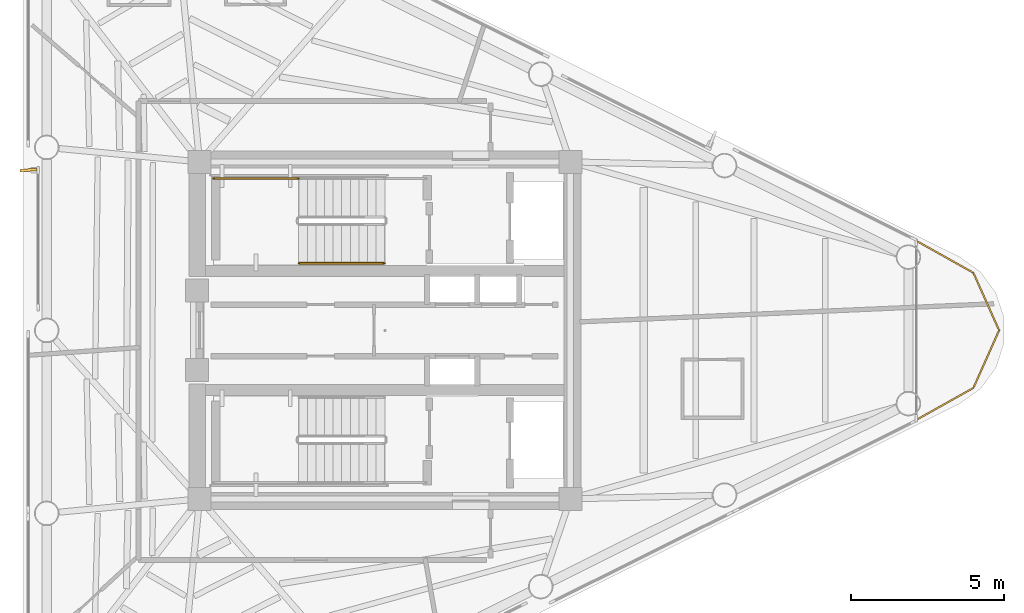
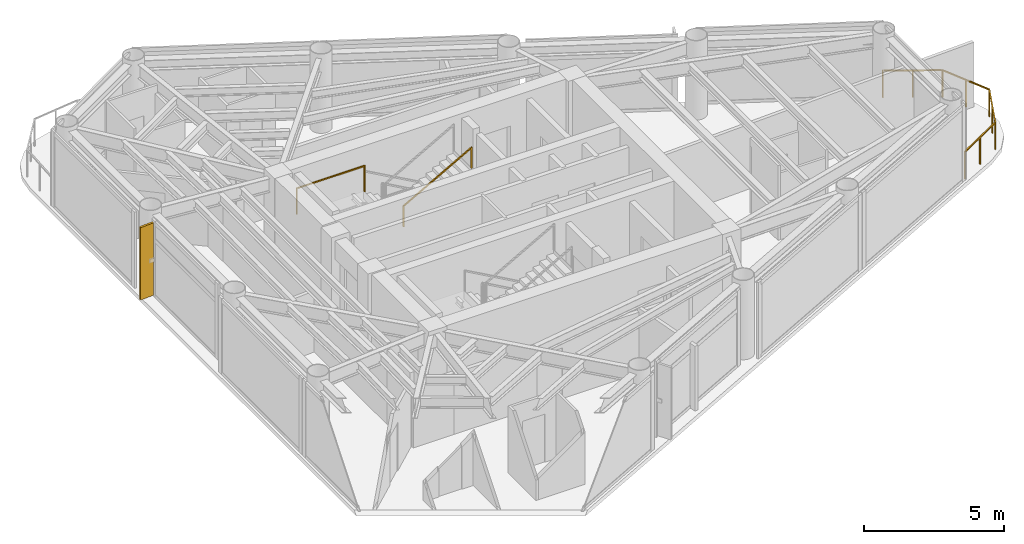
# One storey, part 9 of 10: 3 railings, 1 shading device.
"""IFC4 building model written with IfcOpenShell, lengths in metres."""

from ifc_helpers import new_model, si_unit, direction, frame, origin, origin_2d, place, context, subcontext, project, spatial, rectangle, extrude, source, transform, mapped, material, material_profile, profile_set, type_object, element, save


model = new_model("IFC4")

# Units and contexts
model_context = context("Model", 3, precision=1e-05, world=origin(), true_north=direction((0.0, 1.0)))
body_context = subcontext(model_context, "Body", "Model", "MODEL_VIEW")
ifc_project = project(units=[si_unit("LENGTHUNIT", "METRE"), si_unit("AREAUNIT", "SQUARE_METRE"), si_unit("VOLUMEUNIT", "CUBIC_METRE"), si_unit("PLANEANGLEUNIT", "RADIAN"), si_unit("MASSUNIT", "GRAM", prefix="KILO")], contexts=[model_context])

# Site, building, storey
site_placement = place(None, origin())
site = spatial("IfcSite", under=ifc_project, at=site_placement, CompositionType="ELEMENT")
building_placement = place(site_placement, origin())
building = spatial("IfcBuilding", under=site, at=building_placement, Name="Yunling Apex Tower", CompositionType="ELEMENT")
storey_placement = place(building_placement, frame((0.0, 0.0, 307.10009765625)))
storey = spatial("IfcBuildingStorey", under=building, at=storey_placement, Name="L75", CompositionType="ELEMENT", Elevation=307.10009765625)

# Railings
ifc_material_1 = material(Name="Bronze anodised aluminium", Category="aluminium")
railing_type_1 = type_object("IfcRailingType", Name="RL-BAL-1200", PredefinedType="BALUSTRADE", material=ifc_material_1)
railing_1_placement = place(storey_placement, frame((17.349365234375, 2.919677734375, 0.0)))
element("IfcRailing", 1, at=railing_1_placement, inside=storey, type_object=railing_type_1, Name="RL-CRNSILL-L75-1", PredefinedType="BALUSTRADE", context=body_context, shape_type="SweptSolid", body=[
    extrude(rectangle(XDim=0.0439453125, YDim=0.0439453125, at=origin_2d()), origin(), (0.0, 0.0, 1.0), 1.199951171875),
    extrude(rectangle(XDim=0.0439453125, YDim=0.0439453125, at=origin_2d()), frame((1.85791015625, -1.040771484375, 0.0)), (0.0, 0.0, 1.0), 1.199951171875),
    extrude(rectangle(XDim=0.050048828125, YDim=0.050048828125, at=origin_2d()), frame((0.033447265625, -0.018798828125, 1.1748046875), z_axis=(0.872437584312, -0.488725548216, 0.0), x_axis=(0.488725548216, 0.872437584312, 0.0)), (0.0, 0.0, 1.0), 2.052978515625),
    extrude(rectangle(XDim=0.0439453125, YDim=0.0439453125, at=origin_2d()), frame((0.928955078125, -0.5205078125, 0.0)), (0.0, 0.0, 1.0), 1.14599609375),
    extrude(rectangle(XDim=0.0439453125, YDim=0.0439453125, at=origin_2d()), frame((2.697021484375, -2.919677734375, 0.0)), (0.0, 0.0, 1.0), 1.199951171875),
    extrude(rectangle(XDim=0.050048828125, YDim=0.050048828125, at=origin_2d()), frame((1.87353515625, -1.07568359375, 1.1748046875), z_axis=(0.407778028912, -0.913081091216, 0.0), x_axis=(0.913081091216, 0.407778028912, 0.0)), (0.0, 0.0, 1.0), 1.981201171875),
    extrude(rectangle(XDim=0.0439453125, YDim=0.0439453125, at=origin_2d()), frame((2.27734375, -1.980224609375, 0.0)), (0.0, 0.0, 1.0), 1.14599609375),
    extrude(rectangle(XDim=0.0439453125, YDim=0.0439453125, at=origin_2d()), frame((1.85791015625, -4.798583984375, 0.0)), (0.0, 0.0, 1.0), 1.199951171875),
    extrude(rectangle(XDim=0.050048828125, YDim=0.050048828125, at=origin_2d()), frame((2.681396484375, -2.95458984375, 1.1748046875), z_axis=(-0.407778028912, -0.913081091216, 0.0), x_axis=(0.913081091216, -0.407778028912, 0.0)), (0.0, 0.0, 1.0), 1.981201171875),
    extrude(rectangle(XDim=0.0439453125, YDim=0.0439453125, at=origin_2d()), frame((2.27734375, -3.859130859375, 0.0)), (0.0, 0.0, 1.0), 1.14599609375),
    extrude(rectangle(XDim=0.0439453125, YDim=0.0439453125, at=origin_2d()), frame((0.0, -5.83935546875, 0.0)), (0.0, 0.0, 1.0), 1.199951171875),
    extrude(rectangle(XDim=0.050048828125, YDim=0.050048828125, at=origin_2d()), frame((1.824462890625, -4.8173828125, 1.1748046875), z_axis=(-0.872437584312, -0.488725548216, 0.0), x_axis=(0.488725548216, -0.872437584312, 0.0)), (0.0, 0.0, 1.0), 2.052978515625),
    extrude(rectangle(XDim=0.0439453125, YDim=0.0439453125, at=origin_2d()), frame((0.928955078125, -5.31884765625, 0.0)), (0.0, 0.0, 1.0), 1.14599609375),
])
ifc_material_2 = material(Name="Steel Q355B", Category="steel")
railing_type_2 = type_object("IfcRailingType", Name="RL-GRD-1150", PredefinedType="GUARDRAIL", material=ifc_material_2)
railing_2_placement = place(storey_placement, frame((-2.81005859375, 4.9599609375, 1.724853515625)))
element("IfcRailing", 2, at=railing_2_placement, inside=storey, type_object=railing_type_2, Name="L75 ST-1 stair guard 3", PredefinedType="GUARDRAIL", context=body_context, shape_type="SweptSolid", body=[
    extrude(rectangle(XDim=0.0439453125, YDim=0.0439453125, at=origin_2d()), origin(), (0.0, 0.0, 1.0), 1.14990234375),
    extrude(rectangle(XDim=0.0439453125, YDim=0.0439453125, at=origin_2d()), frame((-2.7900390625, 0.0, 0.0)), (0.0, 0.0, 1.0), 1.14990234375),
    extrude(rectangle(XDim=0.050048828125, YDim=0.050048828125, at=origin_2d()), frame((-0.038330078125, 0.0, 1.125), z_axis=(-1.0, 0.0, 0.0), x_axis=(0.0, -1.0, 0.0)), (0.0, 0.0, 1.0), 2.71337890625),
])
ifc_material_3 = material(Name="Silver anodised aluminium", Category="aluminium")
railing_type_3 = type_object("IfcRailingType", Name="RL-HND-900", PredefinedType="HANDRAIL", material=ifc_material_3)
railing_3_placement = place(storey_placement, frame((-2.81005859375, 2.18994140625, 1.8818359375)))
element("IfcRailing", 3, at=railing_3_placement, inside=storey, type_object=railing_type_3, Name="L75 ST-1 stair handrail 2", PredefinedType="HANDRAIL", context=body_context, shape_type="SweptSolid", body=[
    extrude(rectangle(XDim=0.0439453125, YDim=0.0439453125, at=origin_2d()), origin(), (0.0, 0.0, 1.0), 0.919921875),
    extrude(rectangle(XDim=0.0439453125, YDim=0.0439453125, at=origin_2d()), frame((2.800048828125, 0.0, 1.568115234375)), (0.0, 0.0, 1.0), 0.919921875),
    extrude(rectangle(XDim=0.050048828125, YDim=0.050048828125, at=origin_2d()), frame((0.033447265625, 0.0, 0.91357421875), z_axis=(0.872494340497, 0.0, 0.48862421737), x_axis=(0.0, 1.0, 0.0)), (0.0, 0.0, 1.0), 3.132568359375),
])

# Shading device
ifc_material_profile = material_profile(ifc_material_1, rectangle(XDim=0.0849609375, YDim=0.550048828125, at=origin_2d()))
ifc_profile_set = profile_set([ifc_material_profile], Name="Bronze anodised aluminium")
shading_device_type = type_object("IfcShadingDeviceType", Name="FN-BRZ-3", PredefinedType="USERDEFINED", material=ifc_profile_set)
shared_shape = source(origin(), body_context, "Body", "SweptSolid", [
    extrude(rectangle(XDim=0.0849609375, YDim=0.550048828125, at=origin_2d()), origin(), (0.0, 0.0, 1.0), 3.14990234375),
])
shading_device_placement = place(storey_placement, frame((-11.63232421875, 5.232666015625, 0.06005859375), z_axis=(0.0, 0.0, 1.0), x_axis=(0.06540312923, -0.997858923239, 0.0)))
element("IfcShadingDevice", 4, at=shading_device_placement, inside=storey, type_object=shading_device_type, Name="CW-L75-F3-B2-FIN-01", ObjectType="FIN", PredefinedType="USERDEFINED", context=body_context, shape_type="MappedRepresentation", body=[
    mapped(shared_shape, transform((0.0, 0.0, 0.0), scale=1.0)),
])

save(model, "model.ifc")
